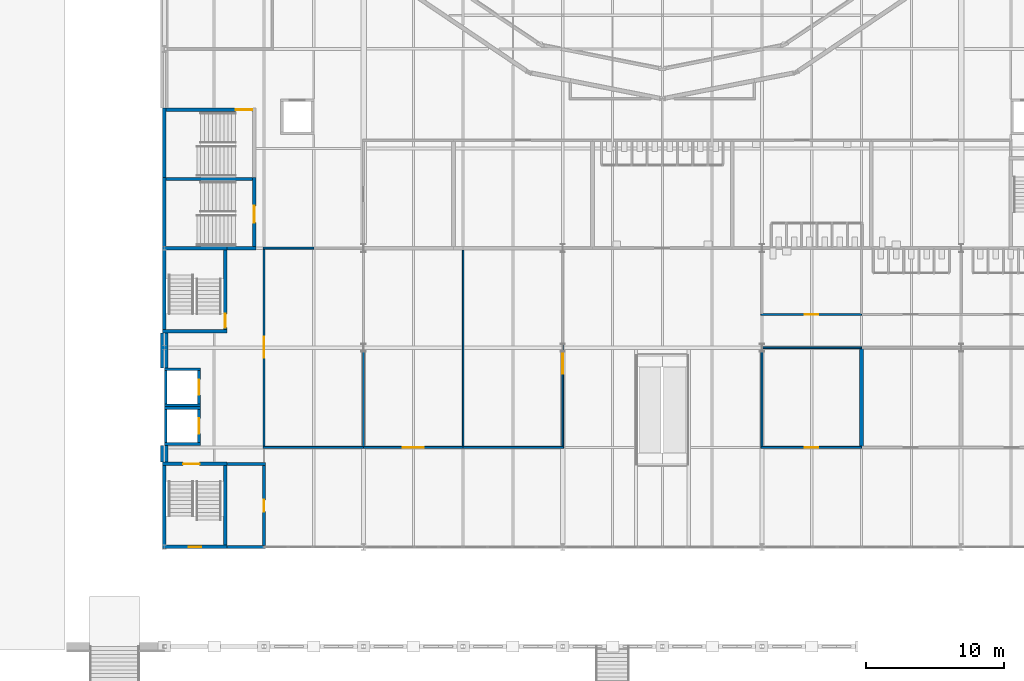
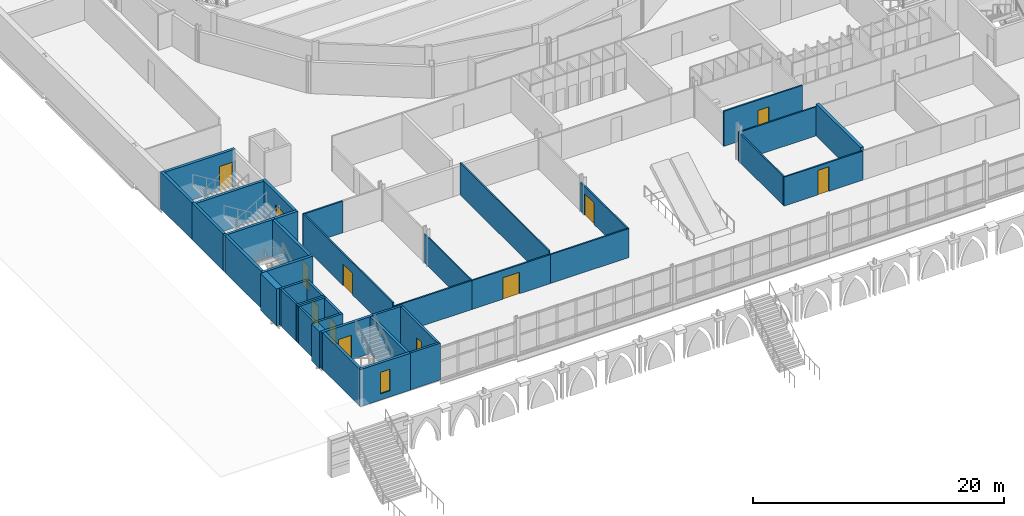
# One storey, part 45 of 90: 40 walls, 12 doors, 1 window, 13 openings.
"""IFC4 building model written with IfcOpenShell, lengths in metres."""

from ifc_helpers import new_model, si_unit, direction, frame, frame_2d, origin, place, context, subcontext, project, spatial, rectangle, extrude, material, layer, layer_set, type_object, element, fill, save


model = new_model("IFC4")

# Units and contexts
model_context = context("Model", 3, precision=1e-05, world=origin(), true_north=direction((0.0, 1.0)))
body_context = subcontext(model_context, "Body", "Model", "MODEL_VIEW")
ifc_project = project(units=[si_unit("LENGTHUNIT", "METRE"), si_unit("AREAUNIT", "SQUARE_METRE"), si_unit("VOLUMEUNIT", "CUBIC_METRE"), si_unit("PLANEANGLEUNIT", "RADIAN"), si_unit("MASSUNIT", "GRAM", prefix="KILO")], contexts=[model_context])

# Site, building, storey
site_placement = place(None, origin())
site = spatial("IfcSite", under=ifc_project, at=site_placement, CompositionType="ELEMENT")
building_placement = place(site_placement, origin())
building = spatial("IfcBuilding", under=site, at=building_placement, Name="Kupolbacken Congress Centre", CompositionType="ELEMENT")
storey_placement = place(building_placement, frame((0.0, 0.0, 3.60009765625)))
storey = spatial("IfcBuildingStorey", under=building, at=storey_placement, Name="L01", CompositionType="ELEMENT", Elevation=3.60009765625)

# Walls
ifc_material_1 = material(Name="Operable acoustic wall panels", Category="metal")
ifc_layer_1 = layer(ifc_material_1, 0.1201171875)
ifc_layer_set_1 = layer_set([ifc_layer_1], Name="Operable acoustic wall panels")
wall_type_1 = type_object("IfcWallType", Name="MP2 movable partition 120", PredefinedType="MOVABLE", material=ifc_layer_set_1)
wall_1_placement = place(storey_placement, frame((28.800048828125, 50.262451171875, 0.0), z_axis=(0.0, 0.0, 1.0), x_axis=(0.0, -1.0, 0.0)))
element("IfcWall", 1, at=wall_1_placement, inside=storey, type_object=wall_type_1, Name="PD/L01/W031", PredefinedType="MOVABLE", context=body_context, shape_type="SweptSolid", body=[
    extrude(rectangle(XDim=14.195068359375, YDim=0.1201171875, at=frame_2d((7.09765625, 0.0))), origin(), (0.0, 0.0, 1.0), 3.119873046875),
])
wall_2_placement = place(storey_placement, frame((21.60009765625, 43.5, 0.0), z_axis=(0.0, 0.0, 1.0), x_axis=(0.0, -1.0, 0.0)))
element("IfcWall", 2, at=wall_2_placement, inside=storey, type_object=wall_type_1, Name="PD/L01/W029.h1", PredefinedType="MOVABLE", context=body_context, shape_type="SweptSolid", body=[
    extrude(rectangle(XDim=7.4326171875, YDim=0.1201171875, at=frame_2d((3.71630859375, 0.0))), origin(), (0.0, 0.0, 1.0), 2.81982421875),
])

# Wall, opening, door
ifc_material_2 = material(Name="Gypsum board", Category="drywall")
ifc_layer_2 = layer(ifc_material_2, 0.135009765625)
ifc_layer_set_2 = layer_set([ifc_layer_2], Name="Gypsum board")
wall_type_2 = type_object("IfcWallType", Name="P06 compartment wall 135", PredefinedType="PARTITIONING", material=ifc_layer_set_2)
wall_3_placement = place(storey_placement, frame((14.39990234375, 50.33251953125, 0.0), z_axis=(0.0, 0.0, 1.0), x_axis=(0.0, -1.0, 0.0)))
wall_3 = element("IfcWall", 3, at=wall_3_placement, inside=storey, type_object=wall_type_2, Name="PD/L01/W001", PredefinedType="PARTITIONING", context=body_context, shape_type="SweptSolid", body=[
    extrude(rectangle(XDim=14.26513671875, YDim=0.135009765625, at=frame_2d((7.132568359375, 0.0))), origin(), (0.0, 0.0, 1.0), 3.119873046875),
])
opening_1_placement = place(wall_3_placement, frame((6.35009765625, 0.0, 0.0)))
opening_1 = element("IfcOpeningElement", 4, at=opening_1_placement, cuts=wall_3, Name="Opening 1.F07", PredefinedType="OPENING", context=body_context, shape_type="SweptSolid", body=[
    extrude(rectangle(XDim=1.5, YDim=2.10009765625, at=frame_2d((0.75, 1.050048828125))), frame((0.0, 0.077392578125, 0.0), z_axis=(0.0, -1.0, 0.0), x_axis=(1.0, 0.0, 0.0)), (0.0, 0.0, 1.0), 0.155029296875),
])
ifc_material_3 = material(Name="Steel fire door leaf", Category="steel")
door_type_1 = type_object("IfcDoorType", Name="D12 fire door 1500x2100", OperationType="DOUBLE_DOOR_SINGLE_SWING", PredefinedType="DOOR", material=ifc_material_3)
door_1_placement = place(opening_1_placement, frame((1.5, 0.0, 0.0), z_axis=(0.0, 0.0, 1.0), x_axis=(-1.0, 0.0, 0.0)))
door_1 = element("IfcDoor", 5, at=door_1_placement, inside=storey, type_object=door_type_1, Name="PD/L01/W001/D1F07", OperationType="DOUBLE_DOOR_SINGLE_SWING", OverallHeight=2.10009765625, OverallWidth=1.5, PredefinedType="DOOR", context=body_context, shape_type="SweptSolid", body=[
    extrude(rectangle(XDim=1.5, YDim=2.10009765625, at=frame_2d((0.75, 1.050048828125))), frame((0.0, 0.02490234375, 0.0), z_axis=(0.0, -1.0, 0.0), x_axis=(1.0, 0.0, 0.0)), (0.0, 0.0, 1.0), 0.050048828125),
])
fill(opening_1, door_1)

# Walls
wall_4_placement = place(storey_placement, frame((18.0, 50.39990234375, 0.0), z_axis=(0.0, 0.0, 1.0), x_axis=(-1.0, 0.0, 0.0)))
element("IfcWall", 6, at=wall_4_placement, inside=storey, type_object=wall_type_2, Name="PD/L01/W004", PredefinedType="PARTITIONING", context=body_context, shape_type="SweptSolid", body=[
    extrude(rectangle(XDim=3.66748046875, YDim=0.135009765625, at=frame_2d((1.833740234375, 0.0))), origin(), (0.0, 0.0, 1.0), 3.08984375),
])
wall_5_placement = place(storey_placement, frame((14.33251953125, 36.0, 0.0), z_axis=(0.0, 0.0, 1.0), x_axis=(1.0, 0.0, 0.0)))
element("IfcWall", 7, at=wall_5_placement, inside=storey, type_object=wall_type_2, Name="PD/L01/W023", PredefinedType="PARTITIONING", context=body_context, shape_type="SweptSolid", body=[
    extrude(rectangle(XDim=7.267578125, YDim=0.135009765625, at=frame_2d((3.6337890625, 0.0))), origin(), (0.0, 0.0, 1.0), 2.81982421875),
])

# Wall, opening, door
wall_6_placement = place(storey_placement, frame((21.60009765625, 36.0, 0.0), z_axis=(0.0, 0.0, 1.0), x_axis=(1.0, 0.0, 0.0)))
wall_6 = element("IfcWall", 8, at=wall_6_placement, inside=storey, type_object=wall_type_2, Name="PD/L01/W024", PredefinedType="PARTITIONING", context=body_context, shape_type="SweptSolid", body=[
    extrude(rectangle(XDim=7.199951171875, YDim=0.135009765625, at=frame_2d((3.60009765625, 0.0))), origin(), (0.0, 0.0, 1.0), 2.81982421875),
])
opening_2_placement = place(wall_6_placement, frame((2.85009765625, 0.0, 0.0)))
opening_2 = element("IfcOpeningElement", 9, at=opening_2_placement, cuts=wall_6, Name="Opening 1.F08", PredefinedType="OPENING", context=body_context, shape_type="SweptSolid", body=[
    extrude(rectangle(XDim=1.5, YDim=2.10009765625, at=frame_2d((0.75, 1.050048828125))), frame((0.0, 0.077392578125, 0.0), z_axis=(0.0, -1.0, 0.0), x_axis=(1.0, 0.0, 0.0)), (0.0, 0.0, 1.0), 0.155029296875),
])
door_2_placement = place(opening_2_placement, frame((1.5, 0.0, 0.0), z_axis=(0.0, 0.0, 1.0), x_axis=(-1.0, 0.0, 0.0)))
door_2 = element("IfcDoor", 10, at=door_2_placement, inside=storey, type_object=door_type_1, Name="PD/L01/W024/D1F08", OperationType="DOUBLE_DOOR_SINGLE_SWING", OverallHeight=2.10009765625, OverallWidth=1.5, PredefinedType="DOOR", context=body_context, shape_type="SweptSolid", body=[
    extrude(rectangle(XDim=1.5, YDim=2.10009765625, at=frame_2d((0.75, 1.050048828125))), frame((0.0, 0.02490234375, 0.0), z_axis=(0.0, -1.0, 0.0), x_axis=(1.0, 0.0, 0.0)), (0.0, 0.0, 1.0), 0.050048828125),
])
fill(opening_2, door_2)

# Wall
wall_7_placement = place(storey_placement, frame((28.800048828125, 36.0, 0.0), z_axis=(0.0, 0.0, 1.0), x_axis=(1.0, 0.0, 0.0)))
element("IfcWall", 11, at=wall_7_placement, inside=storey, type_object=wall_type_2, Name="PD/L01/W025", PredefinedType="PARTITIONING", context=body_context, shape_type="SweptSolid", body=[
    extrude(rectangle(XDim=7.267333984375, YDim=0.135009765625, at=frame_2d((3.6337890625, 0.0))), origin(), (0.0, 0.0, 1.0), 2.81982421875),
])

# Wall, opening, door
wall_8_placement = place(storey_placement, frame((50.33251953125, 36.0, 0.0), z_axis=(0.0, 0.0, 1.0), x_axis=(1.0, 0.0, 0.0)))
wall_8 = element("IfcWall", 12, at=wall_8_placement, inside=storey, type_object=wall_type_2, Name="PD/L01/W026", PredefinedType="PARTITIONING", context=body_context, shape_type="SweptSolid", body=[
    extrude(rectangle(XDim=7.267578125, YDim=0.135009765625, at=frame_2d((3.6337890625, 0.0))), origin(), (0.0, 0.0, 1.0), 2.81982421875),
])
opening_3_placement = place(wall_8_placement, frame((3.14990234375, 0.0, 0.0)))
opening_3 = element("IfcOpeningElement", 13, at=opening_3_placement, cuts=wall_8, Name="Opening 1.F10", PredefinedType="OPENING", context=body_context, shape_type="SweptSolid", body=[
    extrude(rectangle(XDim=1.0, YDim=2.39990234375, at=frame_2d((0.5, 1.199951171875))), frame((0.0, 0.077392578125, 0.0), z_axis=(0.0, -1.0, 0.0), x_axis=(1.0, 0.0, 0.0)), (0.0, 0.0, 1.0), 0.155029296875),
])
ifc_material_4 = material(Name="Steel fire door leaf", Category="steel")
door_type_2 = type_object("IfcDoorType", Name="D8 fire door 1000x2400", OperationType="SINGLE_SWING_LEFT", PredefinedType="DOOR", material=ifc_material_4)
door_3_placement = place(opening_3_placement, origin())
door_3 = element("IfcDoor", 14, at=door_3_placement, inside=storey, type_object=door_type_2, Name="PD/L01/W026/D1F10", OperationType="SINGLE_SWING_LEFT", OverallHeight=2.39990234375, OverallWidth=1.0, PredefinedType="DOOR", context=body_context, shape_type="SweptSolid", body=[
    extrude(rectangle(XDim=1.0, YDim=2.39990234375, at=frame_2d((0.5, 1.199951171875))), frame((0.0, 0.02490234375, 0.0), z_axis=(0.0, -1.0, 0.0), x_axis=(1.0, 0.0, 0.0)), (0.0, 0.0, 1.0), 0.050048828125),
])
fill(opening_3, door_3)

# Walls
wall_9_placement = place(storey_placement, frame((50.39990234375, 43.132568359375, 0.0), z_axis=(0.0, 0.0, 1.0), x_axis=(0.0, -1.0, 0.0)))
element("IfcWall", 15, at=wall_9_placement, inside=storey, type_object=wall_type_2, Name="PD/L01/W036", PredefinedType="PARTITIONING", context=body_context, shape_type="SweptSolid", body=[
    extrude(rectangle(XDim=7.065185546875, YDim=0.135009765625, at=frame_2d((3.53271484375, 0.0))), origin(), (0.0, 0.0, 1.0), 2.81982421875),
])
wall_10_placement = place(storey_placement, frame((50.33251953125, 43.199951171875, 0.0), z_axis=(0.0, 0.0, 1.0), x_axis=(1.0, 0.0, 0.0)))
element("IfcWall", 16, at=wall_10_placement, inside=storey, type_object=wall_type_2, Name="PD/L01/W042", PredefinedType="PARTITIONING", context=body_context, shape_type="SweptSolid", body=[
    extrude(rectangle(XDim=7.267578125, YDim=0.135009765625, at=frame_2d((3.6337890625, 0.0))), origin(), (0.0, 0.0, 1.0), 2.81982421875),
])

# Wall, opening, door
wall_11_placement = place(storey_placement, frame((50.33251953125, 45.60009765625, 0.0), z_axis=(0.0, 0.0, 1.0), x_axis=(1.0, 0.0, 0.0)))
wall_11 = element("IfcWall", 17, at=wall_11_placement, inside=storey, type_object=wall_type_2, Name="PD/L01/W046", PredefinedType="PARTITIONING", context=body_context, shape_type="SweptSolid", body=[
    extrude(rectangle(XDim=7.267578125, YDim=0.135009765625, at=frame_2d((3.6337890625, 0.0))), origin(), (0.0, 0.0, 1.0), 3.419921875),
])
opening_4_placement = place(wall_11_placement, frame((3.14990234375, 0.0, 0.0)))
opening_4 = element("IfcOpeningElement", 18, at=opening_4_placement, cuts=wall_11, Name="Opening 1.F13", PredefinedType="OPENING", context=body_context, shape_type="SweptSolid", body=[
    extrude(rectangle(XDim=1.0, YDim=2.39990234375, at=frame_2d((0.5, 1.199951171875))), frame((0.0, 0.077392578125, 0.0), z_axis=(0.0, -1.0, 0.0), x_axis=(1.0, 0.0, 0.0)), (0.0, 0.0, 1.0), 0.155029296875),
])
door_4_placement = place(opening_4_placement, frame((1.0, 0.0, 0.0), z_axis=(0.0, 0.0, 1.0), x_axis=(-1.0, 0.0, 0.0)))
door_4 = element("IfcDoor", 19, at=door_4_placement, inside=storey, type_object=door_type_2, Name="PD/L01/W046/D1F13", OperationType="SINGLE_SWING_RIGHT", OverallHeight=2.39990234375, OverallWidth=1.0, PredefinedType="DOOR", context=body_context, shape_type="SweptSolid", body=[
    extrude(rectangle(XDim=1.0, YDim=2.39990234375, at=frame_2d((0.5, 1.199951171875))), frame((0.0, 0.02490234375, 0.0), z_axis=(0.0, -1.0, 0.0), x_axis=(1.0, 0.0, 0.0)), (0.0, 0.0, 1.0), 0.050048828125),
])
fill(opening_4, door_4)

wall_12_placement = place(storey_placement, frame((36.0, 43.5, 0.0), z_axis=(0.0, 0.0, 1.0), x_axis=(0.0, -1.0, 0.0)))
wall_12 = element("IfcWall", 20, at=wall_12_placement, inside=storey, type_object=wall_type_2, Name="PD/L01/W034.h1", PredefinedType="PARTITIONING", context=body_context, shape_type="SweptSolid", body=[
    extrude(rectangle(XDim=7.4326171875, YDim=0.135009765625, at=frame_2d((3.71630859375, 0.0))), origin(), (0.0, 0.0, 1.0), 2.81982421875),
])
opening_5_placement = place(wall_12_placement, frame((0.6875, 0.0, 0.0)))
opening_5 = element("IfcOpeningElement", 21, at=opening_5_placement, cuts=wall_12, Name="Opening 1.F09", PredefinedType="OPENING", context=body_context, shape_type="SweptSolid", body=[
    extrude(rectangle(XDim=1.5, YDim=2.10009765625, at=frame_2d((0.75, 1.050048828125))), frame((0.0, 0.077392578125, 0.0), z_axis=(0.0, -1.0, 0.0), x_axis=(1.0, 0.0, 0.0)), (0.0, 0.0, 1.0), 0.155029296875),
])
door_5_placement = place(opening_5_placement, origin())
door_5 = element("IfcDoor", 22, at=door_5_placement, inside=storey, type_object=door_type_1, Name="PD/L01/W034/D1F09", OperationType="DOUBLE_DOOR_SINGLE_SWING", OverallHeight=2.10009765625, OverallWidth=1.5, PredefinedType="DOOR", context=body_context, shape_type="SweptSolid", body=[
    extrude(rectangle(XDim=1.5, YDim=2.10009765625, at=frame_2d((0.75, 1.050048828125))), frame((0.0, 0.02490234375, 0.0), z_axis=(0.0, -1.0, 0.0), x_axis=(1.0, 0.0, 0.0)), (0.0, 0.0, 1.0), 0.050048828125),
])
fill(opening_5, door_5)

# Walls
ifc_material_5 = material(Name="Gypsum board", Category="drywall")
ifc_layer_3 = layer(ifc_material_5, 0.27490234375)
ifc_layer_set_3 = layer_set([ifc_layer_3], Name="Gypsum board")
wall_type_3 = type_object("IfcWallType", Name="P12 partition 275", PredefinedType="PARTITIONING", material=ifc_layer_set_3)
wall_13_placement = place(storey_placement, frame((57.60009765625, 43.132568359375, 0.0), z_axis=(0.0, 0.0, 1.0), x_axis=(0.0, -1.0, 0.0)))
element("IfcWall", 23, at=wall_13_placement, inside=storey, type_object=wall_type_3, Name="PD/L01/W041", PredefinedType="PARTITIONING", context=body_context, shape_type="SweptSolid", body=[
    extrude(rectangle(XDim=7.065185546875, YDim=0.27490234375, at=frame_2d((3.53271484375, 0.0))), origin(), (0.0, 0.0, 1.0), 3.119873046875),
])
ifc_material_6 = material(Name="Concrete C30/37", Category="concrete")
ifc_layer_4 = layer(ifc_material_6, 0.550048828125)
ifc_layer_set_4 = layer_set([ifc_layer_4], Name="Concrete C30/37")
wall_type_4 = type_object("IfcWallType", Name="RW3 retaining wall 550", PredefinedType="SOLIDWALL", material=ifc_layer_set_4)
wall_14_placement = place(storey_placement, frame((7.199951171875, 34.925048828125, 0.0), z_axis=(0.0, 0.0, 1.0), x_axis=(0.0, 1.0, 0.0)))
element("IfcWall", 24, at=wall_14_placement, inside=storey, type_object=wall_type_4, Name="Retaining wall BF05 L01", PredefinedType="SOLIDWALL", context=body_context, shape_type="SweptSolid", body=[
    extrude(rectangle(XDim=1.224853515625, YDim=0.550048828125, at=frame_2d((0.6123046875, 0.0))), origin(), (0.0, 0.0, 1.0), 3.599853515625),
])
wall_15_placement = place(storey_placement, frame((7.199951171875, 41.75, 0.0), z_axis=(0.0, 0.0, 1.0), x_axis=(0.0, 1.0, 0.0)))
element("IfcWall", 25, at=wall_15_placement, inside=storey, type_object=wall_type_4, Name="Retaining wall BF06 L01", PredefinedType="SOLIDWALL", context=body_context, shape_type="SweptSolid", body=[
    extrude(rectangle(XDim=2.52490234375, YDim=0.550048828125, at=frame_2d((1.262451171875, 0.0))), origin(), (0.0, 0.0, 1.0), 3.599853515625),
])
ifc_material_7 = material(Name="Concrete C40/50", Category="concrete")
ifc_layer_5 = layer(ifc_material_7, 0.199951171875)
ifc_layer_set_5 = layer_set([ifc_layer_5], Name="Concrete C40/50")
wall_type_5 = type_object("IfcWallType", Name="WC1 RC shaft wall 200", PredefinedType="SHEAR", material=ifc_layer_set_5)
wall_16_placement = place(storey_placement, frame((11.72509765625, 28.800048828125, 0.0), z_axis=(0.0, 0.0, 1.0), x_axis=(1.0, 0.0, 0.0)))
element("IfcWall", 26, at=wall_16_placement, inside=storey, type_object=wall_type_5, Name="Shaft wall L01-001", PredefinedType="SHEAR", context=body_context, shape_type="SweptSolid", body=[
    extrude(rectangle(XDim=2.77490234375, YDim=0.199951171875, at=frame_2d((1.387451171875, 0.0))), origin(), (0.0, 0.0, 1.0), 3.599853515625),
])

# Wall, opening, door
wall_17_placement = place(storey_placement, frame((14.39990234375, 28.699951171875, 0.0), z_axis=(0.0, 0.0, 1.0), x_axis=(0.0, 1.0, 0.0)))
wall_17 = element("IfcWall", 27, at=wall_17_placement, inside=storey, type_object=wall_type_5, Name="Shaft wall L01-003", PredefinedType="SHEAR", context=body_context, shape_type="SweptSolid", body=[
    extrude(rectangle(XDim=6.199951171875, YDim=0.199951171875, at=frame_2d((3.10009765625, 0.0))), origin(), (0.0, 0.0, 1.0), 3.599853515625),
])
opening_6_placement = place(wall_17_placement, frame((2.64990234375, 0.0, 0.0)))
opening_6 = element("IfcOpeningElement", 28, at=opening_6_placement, cuts=wall_17, Name="Opening 1.F03", PredefinedType="OPENING", context=body_context, shape_type="SweptSolid", body=[
    extrude(rectangle(XDim=0.85009765625, YDim=2.10009765625, at=frame_2d((0.425048828125, 1.050048828125))), frame((0.0, 0.10986328125, 0.0), z_axis=(0.0, -1.0, 0.0), x_axis=(1.0, 0.0, 0.0)), (0.0, 0.0, 1.0), 0.219970703125),
])
ifc_material_8 = material(Name="Steel fire door leaf", Category="steel")
door_type_3 = type_object("IfcDoorType", Name="D3 fire door 850x2100", OperationType="SINGLE_SWING_LEFT", PredefinedType="DOOR", material=ifc_material_8)
door_6_placement = place(opening_6_placement, origin())
door_6 = element("IfcDoor", 29, at=door_6_placement, inside=storey, type_object=door_type_3, Name="S/core/L01/003/D1F03", OperationType="SINGLE_SWING_RIGHT", OverallHeight=2.10009765625, OverallWidth=0.85009765625, PredefinedType="DOOR", context=body_context, shape_type="SweptSolid", body=[
    extrude(rectangle(XDim=0.85009765625, YDim=2.10009765625, at=frame_2d((0.425048828125, 1.050048828125))), frame((0.0, 0.02490234375, 0.0), z_axis=(0.0, -1.0, 0.0), x_axis=(1.0, 0.0, 0.0)), (0.0, 0.0, 1.0), 0.050048828125),
])
fill(opening_6, door_6)

# Walls
wall_18_placement = place(storey_placement, frame((14.5, 34.800048828125, 0.0), z_axis=(0.0, 0.0, 1.0), x_axis=(-1.0, 0.0, 0.0)))
element("IfcWall", 30, at=wall_18_placement, inside=storey, type_object=wall_type_5, Name="Shaft wall L01-009", PredefinedType="SHEAR", context=body_context, shape_type="SweptSolid", body=[
    extrude(rectangle(XDim=2.77490234375, YDim=0.199951171875, at=frame_2d((1.387451171875, 0.0))), origin(), (0.0, 0.0, 1.0), 3.599853515625),
])
for number, where, z_axis, x_axis, name in (
    (31, (7.199951171875, 36.25, 0.0), (0.0, 0.0, 1.0), (1.0, 0.0, 0.0), "Shaft wall LP1"),
    (32, (7.199951171875, 38.85009765625, 0.0), (0.0, 0.0, 1.0), (1.0, 0.0, 0.0), "Shaft wall LP1"),
):
    element("IfcWall", number, at=place(storey_placement, frame(where, z_axis=z_axis, x_axis=x_axis)), inside=storey, type_object=wall_type_5, Name=name, PredefinedType="SHEAR", context=body_context, shape_type="SweptSolid", body=[
        extrude(rectangle(XDim=2.60009765625, YDim=0.199951171875, at=frame_2d((1.300048828125, 0.0))), origin(), (0.0, 0.0, 1.0), 3.599853515625),
    ])
wall_19_placement = place(storey_placement, frame((7.300048828125, 36.35009765625, 0.0), z_axis=(0.0, 0.0, 1.0), x_axis=(0.0, 1.0, 0.0)))
element("IfcWall", 33, at=wall_19_placement, inside=storey, type_object=wall_type_5, Name="Shaft wall LP1", PredefinedType="SHEAR", context=body_context, shape_type="SweptSolid", body=[
    extrude(rectangle(XDim=2.39990234375, YDim=0.199951171875, at=frame_2d((1.199951171875, 0.0))), origin(), (0.0, 0.0, 1.0), 3.599853515625),
])

# Wall, opening, door
wall_20_placement = place(storey_placement, frame((9.699951171875, 36.35009765625, 0.0), z_axis=(0.0, 0.0, 1.0), x_axis=(0.0, 1.0, 0.0)))
wall_20 = element("IfcWall", 34, at=wall_20_placement, inside=storey, type_object=wall_type_5, Name="Shaft wall LP1", PredefinedType="SHEAR", context=body_context, shape_type="SweptSolid", body=[
    extrude(rectangle(XDim=2.39990234375, YDim=0.199951171875, at=frame_2d((1.199951171875, 0.0))), origin(), (0.0, 0.0, 1.0), 3.599853515625),
])
opening_7_placement = place(wall_20_placement, frame((0.64990234375, 0.0, 0.0)))
opening_7 = element("IfcOpeningElement", 35, at=opening_7_placement, cuts=wall_20, Name="Opening LD2", PredefinedType="OPENING", context=body_context, shape_type="SweptSolid", body=[
    extrude(rectangle(XDim=1.10009765625, YDim=2.10009765625, at=frame_2d((0.550048828125, 1.050048828125))), frame((0.0, 0.10986328125, 0.0), z_axis=(0.0, -1.0, 0.0), x_axis=(1.0, 0.0, 0.0)), (0.0, 0.0, 1.0), 0.219970703125),
])
ifc_material_9 = material(Name="Stainless steel door leaf", Category="steel")
door_type_4 = type_object("IfcDoorType", Name="LD2 lift landing door 1100x2100", OperationType="SLIDING_TO_LEFT", PredefinedType="DOOR", material=ifc_material_9)
door_7_placement = place(opening_7_placement, origin())
door_7 = element("IfcDoor", 36, at=door_7_placement, inside=storey, type_object=door_type_4, Name="Lift landing door LP1", OperationType="SLIDING_TO_LEFT", OverallHeight=2.10009765625, OverallWidth=1.10009765625, PredefinedType="DOOR", context=body_context, shape_type="SweptSolid", body=[
    extrude(rectangle(XDim=1.10009765625, YDim=2.10009765625, at=frame_2d((0.550048828125, 1.050048828125))), frame((0.0, 0.02490234375, 0.0), z_axis=(0.0, -1.0, 0.0), x_axis=(1.0, 0.0, 0.0)), (0.0, 0.0, 1.0), 0.050048828125),
])
fill(opening_7, door_7)

# Walls
for number, where, z_axis, x_axis, name in (
    (37, (7.199951171875, 39.050048828125, 0.0), (0.0, 0.0, 1.0), (1.0, 0.0, 0.0), "Shaft wall LP2"),
    (38, (7.199951171875, 41.64990234375, 0.0), (0.0, 0.0, 1.0), (1.0, 0.0, 0.0), "Shaft wall LP2"),
):
    element("IfcWall", number, at=place(storey_placement, frame(where, z_axis=z_axis, x_axis=x_axis)), inside=storey, type_object=wall_type_5, Name=name, PredefinedType="SHEAR", context=body_context, shape_type="SweptSolid", body=[
        extrude(rectangle(XDim=2.60009765625, YDim=0.199951171875, at=frame_2d((1.300048828125, 0.0))), origin(), (0.0, 0.0, 1.0), 3.599853515625),
    ])
wall_21_placement = place(storey_placement, frame((7.300048828125, 39.14990234375, 0.0), z_axis=(0.0, 0.0, 1.0), x_axis=(0.0, 1.0, 0.0)))
element("IfcWall", 39, at=wall_21_placement, inside=storey, type_object=wall_type_5, Name="Shaft wall LP2", PredefinedType="SHEAR", context=body_context, shape_type="SweptSolid", body=[
    extrude(rectangle(XDim=2.400146484375, YDim=0.199951171875, at=frame_2d((1.2001953125, 0.0))), origin(), (0.0, 0.0, 1.0), 3.599853515625),
])

# Wall, opening, door
wall_22_placement = place(storey_placement, frame((9.699951171875, 39.14990234375, 0.0), z_axis=(0.0, 0.0, 1.0), x_axis=(0.0, 1.0, 0.0)))
wall_22 = element("IfcWall", 40, at=wall_22_placement, inside=storey, type_object=wall_type_5, Name="Shaft wall LP2", PredefinedType="SHEAR", context=body_context, shape_type="SweptSolid", body=[
    extrude(rectangle(XDim=2.400146484375, YDim=0.199951171875, at=frame_2d((1.2001953125, 0.0))), origin(), (0.0, 0.0, 1.0), 3.599853515625),
])
opening_8_placement = place(wall_22_placement, frame((0.64990234375, 0.0, 0.0)))
opening_8 = element("IfcOpeningElement", 41, at=opening_8_placement, cuts=wall_22, Name="Opening LD2", PredefinedType="OPENING", context=body_context, shape_type="SweptSolid", body=[
    extrude(rectangle(XDim=1.10009765625, YDim=2.10009765625, at=frame_2d((0.550048828125, 1.050048828125))), frame((0.0, 0.10986328125, 0.0), z_axis=(0.0, -1.0, 0.0), x_axis=(1.0, 0.0, 0.0)), (0.0, 0.0, 1.0), 0.219970703125),
])
door_8_placement = place(opening_8_placement, origin())
door_8 = element("IfcDoor", 42, at=door_8_placement, inside=storey, type_object=door_type_4, Name="Lift landing door LP2", OperationType="SLIDING_TO_LEFT", OverallHeight=2.10009765625, OverallWidth=1.10009765625, PredefinedType="DOOR", context=body_context, shape_type="SweptSolid", body=[
    extrude(rectangle(XDim=1.10009765625, YDim=2.10009765625, at=frame_2d((0.550048828125, 1.050048828125))), frame((0.0, 0.02490234375, 0.0), z_axis=(0.0, -1.0, 0.0), x_axis=(1.0, 0.0, 0.0)), (0.0, 0.0, 1.0), 0.050048828125),
])
fill(opening_8, door_8)

# Wall, opening, window
ifc_material_10 = material(Name="Concrete C40/50", Category="concrete")
ifc_layer_6 = layer(ifc_material_10, 0.25)
ifc_layer_set_6 = layer_set([ifc_layer_6], Name="Concrete C40/50")
wall_type_6 = type_object("IfcWallType", Name="WC2 RC stair enclosure wall 250", PredefinedType="SHEAR", material=ifc_layer_set_6)
wall_23_placement = place(storey_placement, frame((7.074951171875, 28.800048828125, 0.0), z_axis=(0.0, 0.0, 1.0), x_axis=(1.0, 0.0, 0.0)))
wall_23 = element("IfcWall", 43, at=wall_23_placement, inside=storey, type_object=wall_type_6, Name="Stair enclosure wall L01-000", PredefinedType="SHEAR", context=body_context, shape_type="SweptSolid", body=[
    extrude(rectangle(XDim=4.650146484375, YDim=0.25, at=frame_2d((2.3251953125, 0.0))), origin(), (0.0, 0.0, 1.0), 3.599853515625),
])
opening_9_placement = place(wall_23_placement, frame((1.875, 0.0, 0.60009765625)))
opening_9 = element("IfcOpeningElement", 44, at=opening_9_placement, cuts=wall_23, Name="Opening W28", PredefinedType="OPENING", context=body_context, shape_type="SweptSolid", body=[
    extrude(rectangle(XDim=0.89990234375, YDim=2.10009765625, at=frame_2d((0.449951171875, 1.050048828125))), frame((0.0, 0.135009765625, 0.0), z_axis=(0.0, -1.0, 0.0), x_axis=(1.0, 0.0, 0.0)), (0.0, 0.0, 1.0), 0.27001953125),
])
ifc_material_11 = material(Name="Aluminium frame with double or triple glazing", Category="aluminium")
window_type = type_object("IfcWindowType", Name="W28 window 900x2100", PartitioningType="SINGLE_PANEL", PredefinedType="WINDOW", material=ifc_material_11)
window_placement = place(opening_9_placement, origin())
window = element("IfcWindow", 45, at=window_placement, inside=storey, type_object=window_type, Name="S/core/L01/000/W1/L01", OverallHeight=2.10009765625, OverallWidth=0.89990234375, PartitioningType="SINGLE_PANEL", PredefinedType="WINDOW", context=body_context, shape_type="SweptSolid", body=[
    extrude(rectangle(XDim=0.89990234375, YDim=2.10009765625, at=frame_2d((0.449951171875, 1.050048828125))), frame((0.0, 0.030029296875, 0.0), z_axis=(0.0, -1.0, 0.0), x_axis=(1.0, 0.0, 0.0)), (0.0, 0.0, 1.0), 0.06005859375),
])
fill(opening_9, window)

# Walls
for number, where, z_axis, x_axis, name in (
    (46, (11.60009765625, 28.675048828125, 0.0), (0.0, 0.0, 1.0), (0.0, 1.0, 0.0), "Stair enclosure wall L01-002"),
    (47, (7.199951171875, 34.925048828125, 0.0), (0.0, 0.0, 1.0), (0.0, -1.0, 0.0), "Stair enclosure wall L01-007"),
):
    element("IfcWall", number, at=place(storey_placement, frame(where, z_axis=z_axis, x_axis=x_axis)), inside=storey, type_object=wall_type_6, Name=name, PredefinedType="SHEAR", context=body_context, shape_type="SweptSolid", body=[
        extrude(rectangle(XDim=6.25, YDim=0.25, at=frame_2d((3.125, 0.0))), origin(), (0.0, 0.0, 1.0), 3.599853515625),
    ])

# Wall, opening, door
wall_24_placement = place(storey_placement, frame((11.72509765625, 34.800048828125, 0.0), z_axis=(0.0, 0.0, 1.0), x_axis=(-1.0, 0.0, 0.0)))
wall_24 = element("IfcWall", 48, at=wall_24_placement, inside=storey, type_object=wall_type_6, Name="Stair enclosure wall L01-008", PredefinedType="SHEAR", context=body_context, shape_type="SweptSolid", body=[
    extrude(rectangle(XDim=4.650146484375, YDim=0.25, at=frame_2d((2.3251953125, 0.0))), origin(), (0.0, 0.0, 1.0), 3.599853515625),
])
opening_10_placement = place(wall_24_placement, frame((1.97509765625, 0.0, 0.0)))
opening_10 = element("IfcOpeningElement", 49, at=opening_10_placement, cuts=wall_24, Name="Opening 1.F01", PredefinedType="OPENING", context=body_context, shape_type="SweptSolid", body=[
    extrude(rectangle(XDim=1.199951171875, YDim=2.39990234375, at=frame_2d((0.60009765625, 1.199951171875))), frame((0.0, 0.135009765625, 0.0), z_axis=(0.0, -1.0, 0.0), x_axis=(1.0, 0.0, 0.0)), (0.0, 0.0, 1.0), 0.27001953125),
])
ifc_material_12 = material(Name="Steel fire door leaf", Category="steel")
door_type_5 = type_object("IfcDoorType", Name="D9 fire door 1200x2400", OperationType="SINGLE_SWING_LEFT", PredefinedType="DOOR", material=ifc_material_12)
door_9_placement = place(opening_10_placement, origin())
door_9 = element("IfcDoor", 50, at=door_9_placement, inside=storey, type_object=door_type_5, Name="S/core/L01/008/D1F01", OperationType="SINGLE_SWING_LEFT", OverallHeight=2.39990234375, OverallWidth=1.199951171875, PredefinedType="DOOR", context=body_context, shape_type="SweptSolid", body=[
    extrude(rectangle(XDim=1.199951171875, YDim=2.39990234375, at=frame_2d((0.60009765625, 1.199951171875))), frame((0.0, 0.02490234375, 0.0), z_axis=(0.0, -1.0, 0.0), x_axis=(1.0, 0.0, 0.0)), (0.0, 0.0, 1.0), 0.050048828125),
])
fill(opening_10, door_9)

# Wall
wall_25_placement = place(storey_placement, frame((7.074951171875, 44.39990234375, 0.0), z_axis=(0.0, 0.0, 1.0), x_axis=(1.0, 0.0, 0.0)))
element("IfcWall", 51, at=wall_25_placement, inside=storey, type_object=wall_type_6, Name="Stair enclosure wall L01-014", PredefinedType="SHEAR", context=body_context, shape_type="SweptSolid", body=[
    extrude(rectangle(XDim=4.650146484375, YDim=0.25, at=frame_2d((2.3251953125, 0.0))), origin(), (0.0, 0.0, 1.0), 3.599853515625),
])

# Wall, opening, door
wall_26_placement = place(storey_placement, frame((11.60009765625, 44.27490234375, 0.0), z_axis=(0.0, 0.0, 1.0), x_axis=(0.0, 1.0, 0.0)))
wall_26 = element("IfcWall", 52, at=wall_26_placement, inside=storey, type_object=wall_type_6, Name="Stair enclosure wall L01-015", PredefinedType="SHEAR", context=body_context, shape_type="SweptSolid", body=[
    extrude(rectangle(XDim=6.25, YDim=0.25, at=frame_2d((3.125, 0.0))), origin(), (0.0, 0.0, 1.0), 3.599853515625),
])
opening_11_placement = place(wall_26_placement, frame((0.375, 0.0, 0.0)))
opening_11 = element("IfcOpeningElement", 53, at=opening_11_placement, cuts=wall_26, Name="Opening 1.F02", PredefinedType="OPENING", context=body_context, shape_type="SweptSolid", body=[
    extrude(rectangle(XDim=1.0, YDim=2.39990234375, at=frame_2d((0.5, 1.199951171875))), frame((0.0, 0.135009765625, 0.0), z_axis=(0.0, -1.0, 0.0), x_axis=(1.0, 0.0, 0.0)), (0.0, 0.0, 1.0), 0.27001953125),
])
door_10_placement = place(opening_11_placement, origin())
door_10 = element("IfcDoor", 54, at=door_10_placement, inside=storey, type_object=door_type_2, Name="S/core/L01/015/D1F02", OperationType="SINGLE_SWING_RIGHT", OverallHeight=2.39990234375, OverallWidth=1.0, PredefinedType="DOOR", context=body_context, shape_type="SweptSolid", body=[
    extrude(rectangle(XDim=1.0, YDim=2.39990234375, at=frame_2d((0.5, 1.199951171875))), frame((0.0, 0.02490234375, 0.0), z_axis=(0.0, -1.0, 0.0), x_axis=(1.0, 0.0, 0.0)), (0.0, 0.0, 1.0), 0.050048828125),
])
fill(opening_11, door_10)

# Walls
wall_27_placement = place(storey_placement, frame((7.199951171875, 50.52490234375, 0.0), z_axis=(0.0, 0.0, 1.0), x_axis=(0.0, -1.0, 0.0)))
element("IfcWall", 55, at=wall_27_placement, inside=storey, type_object=wall_type_6, Name="Stair enclosure wall L01-023", PredefinedType="SHEAR", context=body_context, shape_type="SweptSolid", body=[
    extrude(rectangle(XDim=6.25, YDim=0.25, at=frame_2d((3.125, 0.0))), origin(), (0.0, 0.0, 1.0), 3.599853515625),
])
wall_28_placement = place(storey_placement, frame((11.72509765625, 50.39990234375, 0.0), z_axis=(0.0, 0.0, 1.0), x_axis=(-1.0, 0.0, 0.0)))
element("IfcWall", 56, at=wall_28_placement, inside=storey, type_object=wall_type_6, Name="Stair enclosure wall L01-024", PredefinedType="SHEAR", context=body_context, shape_type="SweptSolid", body=[
    extrude(rectangle(XDim=4.650146484375, YDim=0.25, at=frame_2d((2.3251953125, 0.0))), origin(), (0.0, 0.0, 1.0), 3.599853515625),
])
wall_29_placement = place(storey_placement, frame((11.72509765625, 50.39990234375, 0.0), z_axis=(0.0, 0.0, 1.0), x_axis=(1.0, 0.0, 0.0)))
element("IfcWall", 57, at=wall_29_placement, inside=storey, type_object=wall_type_6, Name="Stair enclosure wall L01-025", PredefinedType="SHEAR", context=body_context, shape_type="SweptSolid", body=[
    extrude(rectangle(XDim=2.099853515625, YDim=0.25, at=frame_2d((1.0498046875, 0.0))), origin(), (0.0, 0.0, 1.0), 3.599853515625),
])

# Wall, opening, door
wall_30_placement = place(storey_placement, frame((13.699951171875, 50.27490234375, 0.0), z_axis=(0.0, 0.0, 1.0), x_axis=(0.0, 1.0, 0.0)))
wall_30 = element("IfcWall", 58, at=wall_30_placement, inside=storey, type_object=wall_type_6, Name="Stair enclosure wall L01-026", PredefinedType="SHEAR", context=body_context, shape_type="SweptSolid", body=[
    extrude(rectangle(XDim=5.25, YDim=0.25, at=frame_2d((2.625, 0.0))), origin(), (0.0, 0.0, 1.0), 3.599853515625),
])
opening_12_placement = place(wall_30_placement, frame((1.97509765625, 0.0, 0.0)))
opening_12 = element("IfcOpeningElement", 59, at=opening_12_placement, cuts=wall_30, Name="Opening 1.P01", PredefinedType="OPENING", context=body_context, shape_type="SweptSolid", body=[
    extrude(rectangle(XDim=1.199951171875, YDim=2.39990234375, at=frame_2d((0.60009765625, 1.199951171875))), frame((0.0, 0.135009765625, 0.0), z_axis=(0.0, -1.0, 0.0), x_axis=(1.0, 0.0, 0.0)), (0.0, 0.0, 1.0), 0.27001953125),
])
door_11_placement = place(opening_12_placement, origin())
door_11 = element("IfcDoor", 60, at=door_11_placement, inside=storey, type_object=door_type_5, Name="S/core/L01/026/D1P01", OperationType="SINGLE_SWING_RIGHT", OverallHeight=2.39990234375, OverallWidth=1.199951171875, PredefinedType="DOOR", context=body_context, shape_type="SweptSolid", body=[
    extrude(rectangle(XDim=1.199951171875, YDim=2.39990234375, at=frame_2d((0.60009765625, 1.199951171875))), frame((0.0, 0.02490234375, 0.0), z_axis=(0.0, -1.0, 0.0), x_axis=(1.0, 0.0, 0.0)), (0.0, 0.0, 1.0), 0.050048828125),
])
fill(opening_12, door_11)

# Walls
wall_31_placement = place(storey_placement, frame((7.199951171875, 55.52490234375, 0.0), z_axis=(0.0, 0.0, 1.0), x_axis=(0.0, -1.0, 0.0)))
element("IfcWall", 61, at=wall_31_placement, inside=storey, type_object=wall_type_6, Name="Stair enclosure wall L01-034", PredefinedType="SHEAR", context=body_context, shape_type="SweptSolid", body=[
    extrude(rectangle(XDim=5.0, YDim=0.25, at=frame_2d((2.5, 0.0))), origin(), (0.0, 0.0, 1.0), 3.599853515625),
])
wall_32_placement = place(storey_placement, frame((13.824951171875, 55.39990234375, 0.0), z_axis=(0.0, 0.0, 1.0), x_axis=(-1.0, 0.0, 0.0)))
element("IfcWall", 62, at=wall_32_placement, inside=storey, type_object=wall_type_6, Name="Stair enclosure wall L01-035", PredefinedType="SHEAR", context=body_context, shape_type="SweptSolid", body=[
    extrude(rectangle(XDim=6.75, YDim=0.25, at=frame_2d((3.375, 0.0))), origin(), (0.0, 0.0, 1.0), 3.599853515625),
])
wall_33_placement = place(storey_placement, frame((7.199951171875, 60.52490234375, 0.0), z_axis=(0.0, 0.0, 1.0), x_axis=(0.0, -1.0, 0.0)))
element("IfcWall", 63, at=wall_33_placement, inside=storey, type_object=wall_type_6, Name="Stair enclosure wall L01-043", PredefinedType="SHEAR", context=body_context, shape_type="SweptSolid", body=[
    extrude(rectangle(XDim=5.0, YDim=0.25, at=frame_2d((2.5, 0.0))), origin(), (0.0, 0.0, 1.0), 3.599853515625),
])

# Wall, opening, door
wall_34_placement = place(storey_placement, frame((13.824951171875, 60.39990234375, 0.0), z_axis=(0.0, 0.0, 1.0), x_axis=(-1.0, 0.0, 0.0)))
wall_34 = element("IfcWall", 64, at=wall_34_placement, inside=storey, type_object=wall_type_6, Name="Stair enclosure wall L01-044", PredefinedType="SHEAR", context=body_context, shape_type="SweptSolid", body=[
    extrude(rectangle(XDim=6.75, YDim=0.25, at=frame_2d((3.375, 0.0))), origin(), (0.0, 0.0, 1.0), 3.599853515625),
])
opening_13_placement = place(wall_34_placement, frame((0.27490234375, 0.0, 0.0)))
opening_13 = element("IfcOpeningElement", 65, at=opening_13_placement, cuts=wall_34, Name="Opening 1.P02", PredefinedType="OPENING", context=body_context, shape_type="SweptSolid", body=[
    extrude(rectangle(XDim=1.199951171875, YDim=2.39990234375, at=frame_2d((0.60009765625, 1.199951171875))), frame((0.0, 0.135009765625, 0.0), z_axis=(0.0, -1.0, 0.0), x_axis=(1.0, 0.0, 0.0)), (0.0, 0.0, 1.0), 0.27001953125),
])
door_12_placement = place(opening_13_placement, origin())
door_12 = element("IfcDoor", 66, at=door_12_placement, inside=storey, type_object=door_type_5, Name="S/core/L01/044/D1P02", OperationType="SINGLE_SWING_RIGHT", OverallHeight=2.39990234375, OverallWidth=1.199951171875, PredefinedType="DOOR", context=body_context, shape_type="SweptSolid", body=[
    extrude(rectangle(XDim=1.199951171875, YDim=2.39990234375, at=frame_2d((0.60009765625, 1.199951171875))), frame((0.0, 0.02490234375, 0.0), z_axis=(0.0, -1.0, 0.0), x_axis=(1.0, 0.0, 0.0)), (0.0, 0.0, 1.0), 0.050048828125),
])
fill(opening_13, door_12)

save(model, "model.ifc")
